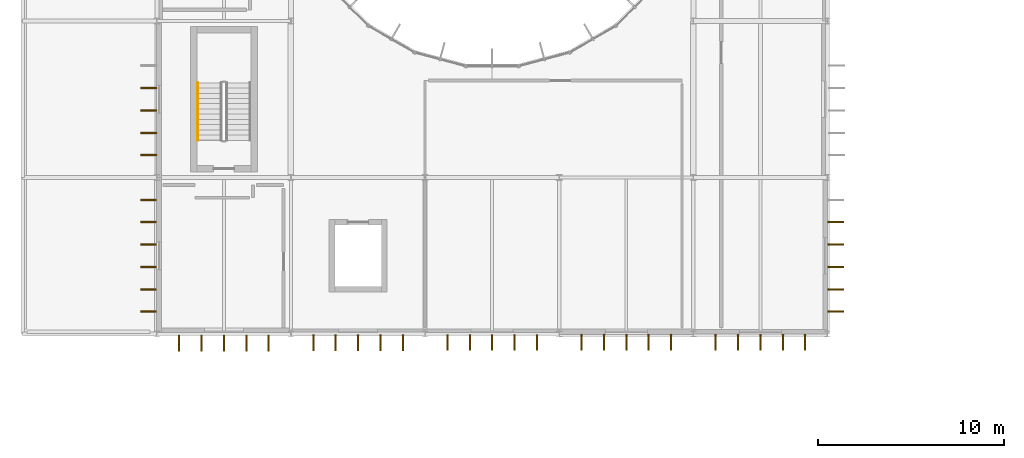
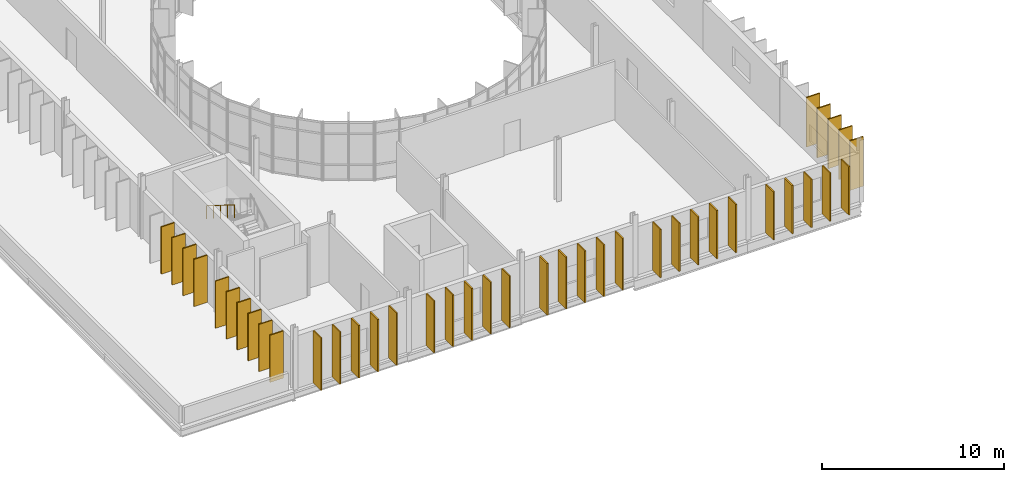
# One storey, part 45 of 52: 40 shading devices, 1 railing.
"""IFC4 building model written with IfcOpenShell, lengths in metres."""

import ifcopenshell
import ifcopenshell.guid

model = None  # the IFC model being written
_history = None  # IfcOwnerHistory: only IFC2X3 demands one
_inside = {}  # id of a spatial element -> (the spatial element, [elements in it])
_under = {}  # id of a project, library or spatial element -> (it, [spatial elements below it])
_declared = {}  # id of a project -> (the project, [libraries it declares])
_typed = {}  # id of a type object -> (the type object, [elements of that type])
_made_of = {}  # id of a material, layer set ... -> (it, [elements and type objects made of it])


def new_model(schema):
    """Start an empty IFC model of exactly this schema.

    Asked for "IFC4X3", IfcOpenShell would pick the latest addendum, in which some entities
    have other attributes; the version numbers below select the first issue.
    IFC2X3 requires an IfcOwnerHistory on every rooted entity: one is made here for all.
    """
    global model, _history
    if schema == "IFC4X3":
        model = ifcopenshell.file(schema_version=(4, 3, 0, 0))
    else:
        model = ifcopenshell.file(schema=schema)
    _inside.clear()
    _under.clear()
    _declared.clear()
    _typed.clear()
    _made_of.clear()
    _history = None
    if model.schema == "IFC2X3":
        org = make("IfcOrganization", Name="unknown")
        user = make(
            "IfcPersonAndOrganization",
            ThePerson=make("IfcPerson", FamilyName="unknown"),
            TheOrganization=org,
        )
        app = make(
            "IfcApplication",
            ApplicationDeveloper=org,
            Version="unknown",
            ApplicationFullName="unknown",
            ApplicationIdentifier="unknown",
        )
        _history = make(
            "IfcOwnerHistory",
            OwningUser=user,
            OwningApplication=app,
            ChangeAction="ADDED",
            CreationDate=0,
        )
    return model


def make(cls, **values):
    """One entity of the class cls with the attributes given. An attribute that is None is left unset."""
    return model.create_entity(
        cls, **{name: value for name, value in values.items() if value is not None}
    )


def rooted(cls, **values):
    """An entity with a GlobalId (a new one), such as an element, a storey or a relation."""
    return make(cls, GlobalId=ifcopenshell.guid.new(), OwnerHistory=_history, **values)


def si_unit(unit_type, name, prefix=None):
    """IfcSIUnit, for example si_unit("LENGTHUNIT", "METRE", prefix="MILLI")."""
    return make("IfcSIUnit", UnitType=unit_type, Prefix=prefix, Name=name)


def assignment(units):
    """IfcUnitAssignment: the units of a project."""
    return None if units is None else make("IfcUnitAssignment", Units=units)


def point(xyz):
    """IfcCartesianPoint."""
    return None if xyz is None else make("IfcCartesianPoint", Coordinates=xyz)


def direction(xyz):
    """IfcDirection."""
    return None if xyz is None else make("IfcDirection", DirectionRatios=xyz)


def frame(location, z_axis=None, x_axis=None):
    """IfcAxis2Placement3D, a coordinate frame: its origin and axes. An axis left out is left unset."""
    return make(
        "IfcAxis2Placement3D",
        Location=point(location),
        Axis=direction(z_axis),
        RefDirection=direction(x_axis),
    )


def frame_2d(location, x_axis=None):
    """IfcAxis2Placement2D, a coordinate frame in the plane: its origin and x axis."""
    return make(
        "IfcAxis2Placement2D", Location=point(location), RefDirection=direction(x_axis)
    )


def origin():
    """The frame at (0, 0, 0) with its axes left unset."""
    return frame((0.0, 0.0, 0.0))


def origin_2d():
    """The frame at (0, 0) in the plane with its x axis left unset."""
    return frame_2d((0.0, 0.0))


def place(relative_to, where):
    """IfcLocalPlacement: puts the frame where relative to a parent placement (None: the world)."""
    return make(
        "IfcLocalPlacement", PlacementRelTo=relative_to, RelativePlacement=where
    )


def context(
    kind, dimensions, precision=None, world=None, true_north=None, identifier=None
):
    """IfcGeometricRepresentationContext, for example the 3D "Model" context."""
    return make(
        "IfcGeometricRepresentationContext",
        ContextIdentifier=identifier,
        ContextType=kind,
        CoordinateSpaceDimension=dimensions,
        Precision=precision,
        WorldCoordinateSystem=world,
        TrueNorth=true_north,
    )


def subcontext(parent, identifier, kind, view, scale=None):
    """IfcGeometricRepresentationSubContext, for example "Body" below "Model"."""
    return make(
        "IfcGeometricRepresentationSubContext",
        ContextIdentifier=identifier,
        ContextType=kind,
        ParentContext=parent,
        TargetScale=scale,
        TargetView=view,
    )


def project(units=None, contexts=None):
    """IfcProject with its units and contexts."""
    return rooted(
        "IfcProject",
        Name="project",
        RepresentationContexts=contexts,
        UnitsInContext=assignment(units),
    )


def spatial(cls, under=None, at=None, **own):
    """A site, building, storey or space (cls), placed at a placement, below another one or the project."""
    s = rooted(cls, ObjectPlacement=at, **own)
    if under is not None:
        _under.setdefault(under.id(), (under, []))[1].append(s)
    return s


def profile(cls, at=None, kind="AREA", **sizes):
    """A parametric profile (cls). Its sizes go by their IFC names, for example OverallWidth=200.0."""
    return make(cls, ProfileType=kind, Position=at, **sizes)


def rectangle(**sizes):
    """IfcRectangleProfileDef."""
    return profile("IfcRectangleProfileDef", **sizes)


def circle(**sizes):
    """IfcCircleProfileDef."""
    return profile("IfcCircleProfileDef", **sizes)


def extrude(swept, where, along, depth):
    """IfcExtrudedAreaSolid: the profile swept, set in the frame where, extruded along a direction by depth."""
    return make(
        "IfcExtrudedAreaSolid",
        SweptArea=swept,
        Position=where,
        ExtrudedDirection=direction(along),
        Depth=depth,
    )


def shape(context_of_items, identifier, shape_type, items):
    """IfcShapeRepresentation: the items that make up one representation, for example the "Body"."""
    return make(
        "IfcShapeRepresentation",
        ContextOfItems=context_of_items,
        RepresentationIdentifier=identifier,
        RepresentationType=shape_type,
        Items=items,
    )


def material(Name=None, Category=None):
    """IfcMaterial."""
    return make("IfcMaterial", Name=Name, Category=Category)


def made_of(thing, what):
    """Note that an element or type object is made of a material, layer set ...; save() writes the relation."""
    if what is not None:
        _made_of.setdefault(what.id(), (what, []))[1].append(thing)
    return thing


def type_object(cls, material=None, **own):
    """A type object (cls), such as IfcWallType, which elements share."""
    return made_of(rooted(cls, **own), material)


def element(
    cls,
    number,
    at=None,
    inside=None,
    cuts=None,
    type_object=None,
    material=None,
    context=None,
    identifier="Body",
    shape_type=None,
    held_by="IfcProductDefinitionShape",
    body=None,
    shapes=None,
    **own,
):
    """One element of the class cls, such as IfcWall. Its Tag is "e" and its number.

    at: its placement. inside: the storey or other place that contains it. cuts: it is an
    opening in that element (IfcRelVoidsElement). A single representation is given by context,
    identifier, shape_type and body (its items); several are given by shapes. held_by: the class
    of the entity that holds the representations. save() writes the other relations.
    """
    e = rooted(cls, Tag="e%d" % number, ObjectPlacement=at, **own)
    if body is not None:
        shapes = [shape(context, identifier, shape_type, body)]
    if shapes is not None:
        e.Representation = make(held_by, Representations=shapes)
    if inside is not None:
        _inside.setdefault(inside.id(), (inside, []))[1].append(e)
    if cuts is not None:
        rooted(
            "IfcRelVoidsElement", RelatingBuildingElement=cuts, RelatedOpeningElement=e
        )
    if type_object is not None:
        _typed.setdefault(type_object.id(), (type_object, []))[1].append(e)
    return made_of(e, material)


def aggregate(whole, parts):
    """IfcRelAggregates: a whole, such as a stair, and the parts it consists of."""
    return rooted("IfcRelAggregates", RelatingObject=whole, RelatedObjects=parts)


def save(model, path):
    """Write the relations noted so far, then the file.

    IfcRelAggregates (storeys below a building ...), IfcRelContainedInSpatialStructure (elements
    in a storey), IfcRelDefinesByType, IfcRelAssociatesMaterial and IfcRelDeclares: one each for
    every whole, place, type object, material and project.
    """
    for whole, parts in _under.values():
        aggregate(whole, parts)
    for where, things in _inside.values():
        rooted(
            "IfcRelContainedInSpatialStructure",
            RelatedElements=things,
            RelatingStructure=where,
        )
    for kind, things in _typed.values():
        rooted("IfcRelDefinesByType", RelatedObjects=things, RelatingType=kind)
    for what, things in _made_of.values():
        rooted("IfcRelAssociatesMaterial", RelatedObjects=things, RelatingMaterial=what)
    for by, libraries in _declared.values():
        rooted("IfcRelDeclares", RelatingContext=by, RelatedDefinitions=libraries)
    model.write(path)


model = new_model("IFC4")

# Units and contexts
model_context = context("Model", 3, precision=1e-05, world=origin(), true_north=direction((0.0, 1.0)))
body_context = subcontext(model_context, "Body", "Model", "MODEL_VIEW")
ifc_project = project(units=[si_unit("LENGTHUNIT", "METRE"), si_unit("AREAUNIT", "SQUARE_METRE"), si_unit("VOLUMEUNIT", "CUBIC_METRE"), si_unit("PLANEANGLEUNIT", "RADIAN"), si_unit("MASSUNIT", "GRAM", prefix="KILO")], contexts=[model_context])

# Site, building, storey
site_placement = place(None, origin())
site = spatial("IfcSite", under=ifc_project, at=site_placement, CompositionType="ELEMENT")
building_placement = place(site_placement, origin())
building = spatial("IfcBuilding", under=site, at=building_placement, Name="Qelthora Terrace Specialist Clinic", CompositionType="ELEMENT")
storey_placement = place(building_placement, frame((0.0, 0.0, 17.39990234375)))
storey = spatial("IfcBuildingStorey", under=building, at=storey_placement, Name="L04", CompositionType="ELEMENT", Elevation=17.39990234375)

# Railing
ifc_material_1 = material(Name="Steel S355", Category="steel")
railing_type = type_object("IfcRailingType", Name="RAL-HR-900-S355", PredefinedType="HANDRAIL", material=ifc_material_1)
railing_placement = place(storey_placement, frame((9.39990234375, 72.280029296875, 2.468017578125)))
element("IfcRailing", 1, at=railing_placement, inside=storey, type_object=railing_type, Name="L04 ST-01 stair handrail 2", PredefinedType="HANDRAIL", context=body_context, shape_type="SweptSolid", body=[
    extrude(circle(Radius=0.02392578125, at=origin_2d()), frame((0.0, 0.0, 0.8759765625), z_axis=(0.0, -0.847998304005, 0.529998940003), x_axis=(1.0, 0.0, 0.0)), (0.0, 0.0, 1.0), 3.632080078125),
    extrude(circle(Radius=0.02099609375, at=origin_2d()), origin(), (0.0, 0.0, 1.0), 0.851806640625),
    extrude(circle(Radius=0.02099609375, at=origin_2d()), frame((0.0, -0.77001953125, 0.481201171875)), (0.0, 0.0, 1.0), 0.851806640625),
    extrude(circle(Radius=0.02099609375, at=origin_2d()), frame((0.0, -1.5400390625, 0.96240234375)), (0.0, 0.0, 1.0), 0.851806640625),
    extrude(circle(Radius=0.02099609375, at=origin_2d()), frame((0.0, -2.31005859375, 1.44384765625)), (0.0, 0.0, 1.0), 0.851806640625),
    extrude(circle(Radius=0.02099609375, at=origin_2d()), frame((0.0, -3.080078125, 1.925048828125)), (0.0, 0.0, 1.0), 0.851806640625),
])

# Shading devices
ifc_material_2 = material(Name="Glulam timber GL28h", Category="wood")
shading_device_type = type_object("IfcShadingDeviceType", Name="SHD-FIN-850", PredefinedType="USERDEFINED", material=ifc_material_2)
for number, where, z_axis, x_axis, name in (
    (2, (6.7548828125, 60.0, 0.0), (0.0, 0.0, 1.0), (-1.0, 0.0, 0.0), "Exterior solar shading fin FIN-1916"),
    (3, (6.7548828125, 61.199951171875, 0.0), (0.0, 0.0, 1.0), (-1.0, 0.0, 0.0), "Exterior solar shading fin FIN-1917"),
    (4, (6.7548828125, 62.39990234375, 0.0), (0.0, 0.0, 1.0), (-1.0, 0.0, 0.0), "Exterior solar shading fin FIN-1918"),
    (5, (6.7548828125, 63.60009765625, 0.0), (0.0, 0.0, 1.0), (-1.0, 0.0, 0.0), "Exterior solar shading fin FIN-1919"),
    (6, (6.7548828125, 64.800048828125, 0.0), (0.0, 0.0, 1.0), (-1.0, 0.0, 0.0), "Exterior solar shading fin FIN-1920"),
    (7, (6.7548828125, 66.0, 0.0), (0.0, 0.0, 1.0), (-1.0, 0.0, 0.0), "Exterior solar shading fin FIN-1921"),
    (8, (6.764892578125, 68.39990234375, 0.0), (0.0, 0.0, 1.0), (-1.0, 0.0, 0.0), "Exterior solar shading fin FIN-1922"),
    (9, (6.764892578125, 69.60009765625, 0.0), (0.0, 0.0, 1.0), (-1.0, 0.0, 0.0), "Exterior solar shading fin FIN-1923"),
    (10, (6.764892578125, 70.800048828125, 0.0), (0.0, 0.0, 1.0), (-1.0, 0.0, 0.0), "Exterior solar shading fin FIN-1924"),
    (11, (6.764892578125, 72.0, 0.0), (0.0, 0.0, 1.0), (-1.0, 0.0, 0.0), "Exterior solar shading fin FIN-1925"),
):
    element("IfcShadingDevice", number, at=place(storey_placement, frame(where, z_axis=z_axis, x_axis=x_axis)), inside=storey, type_object=shading_device_type, Name=name, ObjectType="FIN", PredefinedType="USERDEFINED", context=body_context, shape_type="SweptSolid", body=[
        extrude(rectangle(XDim=0.85009765625, YDim=0.080078125, at=origin_2d()), origin(), (0.0, 0.0, 1.0), 3.172119140625),
    ])
for number, where, z_axis, x_axis, name in (
    (12, (43.635009765625, 60.0, 0.0), (0.0, 0.0, 1.0), (1.0, 0.0, 0.0), "Exterior solar shading fin FIN-1975"),
    (13, (43.635009765625, 61.199951171875, 0.0), (0.0, 0.0, 1.0), (1.0, 0.0, 0.0), "Exterior solar shading fin FIN-1976"),
    (14, (43.635009765625, 62.39990234375, 0.0), (0.0, 0.0, 1.0), (1.0, 0.0, 0.0), "Exterior solar shading fin FIN-1977"),
    (15, (43.635009765625, 63.60009765625, 0.0), (0.0, 0.0, 1.0), (1.0, 0.0, 0.0), "Exterior solar shading fin FIN-1978"),
    (16, (43.635009765625, 64.800048828125, 0.0), (0.0, 0.0, 1.0), (1.0, 0.0, 0.0), "Exterior solar shading fin FIN-1979"),
):
    element("IfcShadingDevice", number, at=place(storey_placement, frame(where, z_axis=z_axis, x_axis=x_axis)), inside=storey, type_object=shading_device_type, Name=name, ObjectType="FIN", PredefinedType="USERDEFINED", context=body_context, shape_type="SweptSolid", body=[
        extrude(rectangle(XDim=0.85009765625, YDim=0.080078125, at=origin_2d()), origin(), (0.0, 0.0, 1.0), 3.324951171875),
    ])
for number, where, z_axis, x_axis, name in (
    (17, (8.39990234375, 58.304931640625, 0.0), (0.0, 0.0, 1.0), (0.0, -1.0, 0.0), "Exterior solar shading fin FIN-2009"),
    (18, (9.60009765625, 58.304931640625, 0.0), (0.0, 0.0, 1.0), (0.0, -1.0, 0.0), "Exterior solar shading fin FIN-2010"),
    (19, (10.800048828125, 58.304931640625, 0.0), (0.0, 0.0, 1.0), (0.0, -1.0, 0.0), "Exterior solar shading fin FIN-2011"),
    (20, (12.0, 58.304931640625, 0.0), (0.0, 0.0, 1.0), (0.0, -1.0, 0.0), "Exterior solar shading fin FIN-2012"),
    (21, (13.199951171875, 58.304931640625, 0.0), (0.0, 0.0, 1.0), (0.0, -1.0, 0.0), "Exterior solar shading fin FIN-2013"),
):
    element("IfcShadingDevice", number, at=place(storey_placement, frame(where, z_axis=z_axis, x_axis=x_axis)), inside=storey, type_object=shading_device_type, Name=name, ObjectType="FIN", PredefinedType="USERDEFINED", context=body_context, shape_type="SweptSolid", body=[
        extrude(rectangle(XDim=0.85009765625, YDim=0.080078125, at=origin_2d()), origin(), (0.0, 0.0, 1.0), 3.529052734375),
    ])
for number, where, z_axis, x_axis, name in (
    (22, (15.60009765625, 58.3349609375, 0.000244140625), (0.0, 0.0, 1.0), (0.0, -1.0, 0.0), "Exterior solar shading fin FIN-2014"),
    (23, (16.800048828125, 58.3349609375, 0.000244140625), (0.0, 0.0, 1.0), (0.0, -1.0, 0.0), "Exterior solar shading fin FIN-2015"),
    (24, (18.0, 58.3349609375, 0.000244140625), (0.0, 0.0, 1.0), (0.0, -1.0, 0.0), "Exterior solar shading fin FIN-2016"),
    (25, (19.199951171875, 58.3349609375, 0.000244140625), (0.0, 0.0, 1.0), (0.0, -1.0, 0.0), "Exterior solar shading fin FIN-2017"),
    (26, (20.39990234375, 58.3349609375, 0.000244140625), (0.0, 0.0, 1.0), (0.0, -1.0, 0.0), "Exterior solar shading fin FIN-2018"),
    (27, (22.800048828125, 58.344970703125, 0.000244140625), (0.0, 0.0, 1.0), (0.0, -1.0, 0.0), "Exterior solar shading fin FIN-2019"),
    (28, (24.0, 58.344970703125, 0.000244140625), (0.0, 0.0, 1.0), (0.0, -1.0, 0.0), "Exterior solar shading fin FIN-2020"),
    (29, (25.199951171875, 58.344970703125, 0.000244140625), (0.0, 0.0, 1.0), (0.0, -1.0, 0.0), "Exterior solar shading fin FIN-2021"),
    (30, (26.39990234375, 58.344970703125, 0.000244140625), (0.0, 0.0, 1.0), (0.0, -1.0, 0.0), "Exterior solar shading fin FIN-2022"),
    (31, (27.60009765625, 58.344970703125, 0.000244140625), (0.0, 0.0, 1.0), (0.0, -1.0, 0.0), "Exterior solar shading fin FIN-2023"),
):
    element("IfcShadingDevice", number, at=place(storey_placement, frame(where, z_axis=z_axis, x_axis=x_axis)), inside=storey, type_object=shading_device_type, Name=name, ObjectType="FIN", PredefinedType="USERDEFINED", context=body_context, shape_type="SweptSolid", body=[
        extrude(rectangle(XDim=0.85009765625, YDim=0.080078125, at=origin_2d()), origin(), (0.0, 0.0, 1.0), 3.48193359375),
    ])
for number, where, z_axis, x_axis, name in (
    (32, (30.0, 58.35498046875, 0.0), (0.0, 0.0, 1.0), (0.0, -1.0, 0.0), "Exterior solar shading fin FIN-2024"),
    (33, (31.199951171875, 58.35498046875, 0.0), (0.0, 0.0, 1.0), (0.0, -1.0, 0.0), "Exterior solar shading fin FIN-2025"),
    (34, (32.39990234375, 58.35498046875, 0.0), (0.0, 0.0, 1.0), (0.0, -1.0, 0.0), "Exterior solar shading fin FIN-2026"),
    (35, (33.60009765625, 58.35498046875, 0.0), (0.0, 0.0, 1.0), (0.0, -1.0, 0.0), "Exterior solar shading fin FIN-2027"),
    (36, (34.800048828125, 58.35498046875, 0.0), (0.0, 0.0, 1.0), (0.0, -1.0, 0.0), "Exterior solar shading fin FIN-2028"),
    (37, (37.199951171875, 58.364990234375, 0.0), (0.0, 0.0, 1.0), (0.0, -1.0, 0.0), "Exterior solar shading fin FIN-2029"),
    (38, (38.39990234375, 58.364990234375, 0.0), (0.0, 0.0, 1.0), (0.0, -1.0, 0.0), "Exterior solar shading fin FIN-2030"),
    (39, (39.60009765625, 58.364990234375, 0.0), (0.0, 0.0, 1.0), (0.0, -1.0, 0.0), "Exterior solar shading fin FIN-2031"),
    (40, (40.800048828125, 58.364990234375, 0.0), (0.0, 0.0, 1.0), (0.0, -1.0, 0.0), "Exterior solar shading fin FIN-2032"),
    (41, (42.0, 58.364990234375, 0.0), (0.0, 0.0, 1.0), (0.0, -1.0, 0.0), "Exterior solar shading fin FIN-2033"),
):
    element("IfcShadingDevice", number, at=place(storey_placement, frame(where, z_axis=z_axis, x_axis=x_axis)), inside=storey, type_object=shading_device_type, Name=name, ObjectType="FIN", PredefinedType="USERDEFINED", context=body_context, shape_type="SweptSolid", body=[
        extrude(rectangle(XDim=0.85009765625, YDim=0.080078125, at=origin_2d()), origin(), (0.0, 0.0, 1.0), 3.2490234375),
    ])

save(model, "model.ifc")
